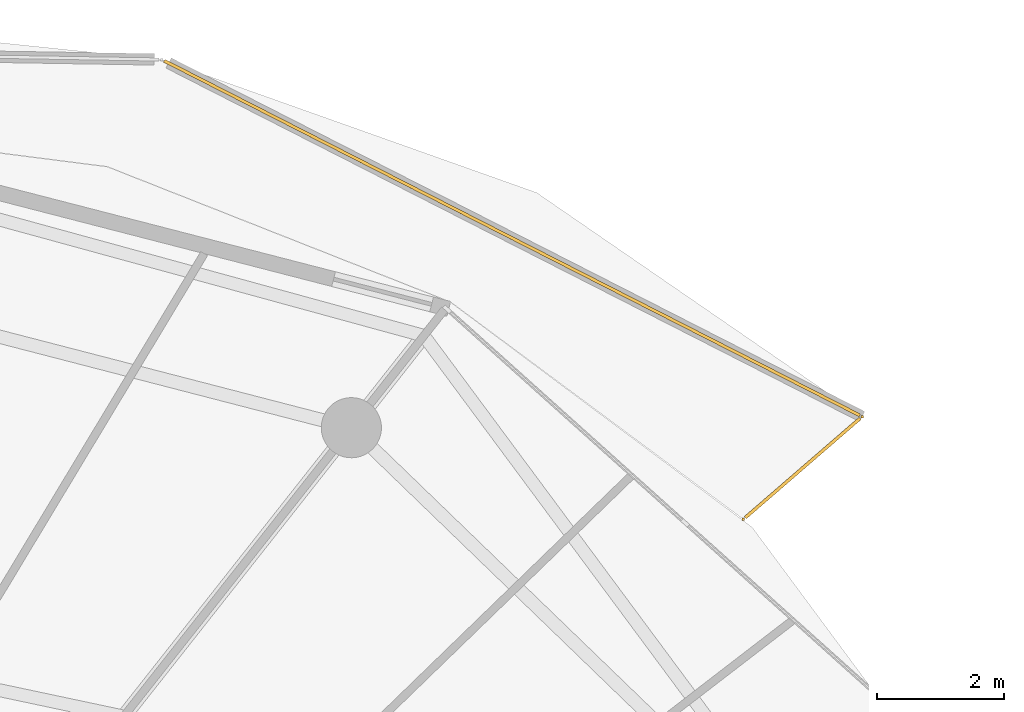
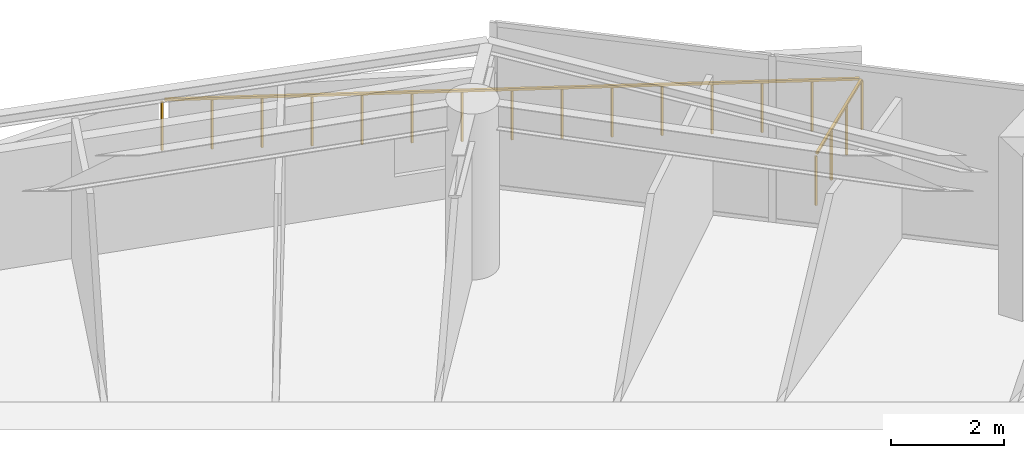
# One storey, part 30 of 30: 2 railings.
"""IFC4 building model written with IfcOpenShell, lengths in metres."""

from ifc_helpers import new_model, si_unit, direction, frame, origin, origin_2d, place, context, subcontext, project, spatial, rectangle, extrude, material, type_object, element, save


model = new_model("IFC4")

# Units and contexts
model_context = context("Model", 3, precision=1e-05, world=origin(), true_north=direction((0.0, 1.0)))
body_context = subcontext(model_context, "Body", "Model", "MODEL_VIEW")
ifc_project = project(units=[si_unit("LENGTHUNIT", "METRE"), si_unit("AREAUNIT", "SQUARE_METRE"), si_unit("VOLUMEUNIT", "CUBIC_METRE"), si_unit("PLANEANGLEUNIT", "RADIAN"), si_unit("MASSUNIT", "GRAM", prefix="KILO")], contexts=[model_context])

# Site, building, storey
site_placement = place(None, origin())
site = spatial("IfcSite", under=ifc_project, at=site_placement, CompositionType="ELEMENT")
building_placement = place(site_placement, origin())
building = spatial("IfcBuilding", under=site, at=building_placement, Name="Kazma Halo Residences", CompositionType="ELEMENT")
storey_placement = place(building_placement, frame((0.0, 0.0, 236.699951171875)))
storey = spatial("IfcBuildingStorey", under=building, at=storey_placement, Name="L59", CompositionType="ELEMENT", Elevation=236.699951171875)

# Railings
ifc_material = material(Name="Aluminium AW-6063 T6 Brushed Cap Rail", Category="aluminium")
railing_type = type_object("IfcRailingType", Name="RLG-BAL-CAP-1120", PredefinedType="BALUSTRADE", material=ifc_material)
railing_1_placement = place(storey_placement, frame((71.0400390625, 61.9228515625, 0.0)))
element("IfcRailing", 1, at=railing_1_placement, inside=storey, type_object=railing_type, Name="L59 NE wave balcony guard 1", PredefinedType="BALUSTRADE", context=body_context, shape_type="SweptSolid", body=[
    extrude(rectangle(XDim=0.050048828125, YDim=0.050048828125, at=origin_2d()), frame((0.0322265625, 0.02783203125, 1.09521484375), z_axis=(0.756451298214, 0.654050023645, 0.0), x_axis=(-0.654050023645, 0.756451298214, 0.0)), (0.0, 0.0, 1.0), 2.396728515625),
    extrude(rectangle(XDim=0.0400390625, YDim=0.0400390625, at=origin_2d()), origin(), (0.0, 0.0, 1.0), 1.05810546875),
    extrude(rectangle(XDim=0.0400390625, YDim=0.0400390625, at=origin_2d()), frame((0.625732421875, 0.541015625, 0.0)), (0.0, 0.0, 1.0), 1.05810546875),
    extrude(rectangle(XDim=0.0400390625, YDim=0.0400390625, at=origin_2d()), frame((1.251708984375, 1.082275390625, 0.0)), (0.0, 0.0, 1.0), 1.05810546875),
    extrude(rectangle(XDim=0.0400390625, YDim=0.0400390625, at=origin_2d()), frame((1.87744140625, 1.623291015625, 0.0)), (0.0, 0.0, 1.0), 1.05810546875),
])
railing_2_placement = place(storey_placement, frame((72.91748046875, 63.546142578125, 0.0)))
element("IfcRailing", 2, at=railing_2_placement, inside=storey, type_object=railing_type, Name="L59 NE wave balcony guard 2", PredefinedType="BALUSTRADE", context=body_context, shape_type="SweptSolid", body=[
    extrude(rectangle(XDim=0.050048828125, YDim=0.050048828125, at=origin_2d()), frame((-0.037841796875, 0.019287109375, 1.09521484375), z_axis=(-0.890888834387, 0.454221405004, 0.0), x_axis=(-0.454221405004, -0.890888834387, 0.0)), (0.0, 0.0, 1.0), 12.334716796875),
    extrude(rectangle(XDim=0.0400390625, YDim=0.0400390625, at=origin_2d()), origin(), (0.0, 0.0, 1.0), 1.05810546875),
    extrude(rectangle(XDim=0.0400390625, YDim=0.0400390625, at=origin_2d()), frame((-0.790283203125, 0.40283203125, 0.0)), (0.0, 0.0, 1.0), 1.05810546875),
    extrude(rectangle(XDim=0.0400390625, YDim=0.0400390625, at=origin_2d()), frame((-1.58056640625, 0.805908203125, 0.0)), (0.0, 0.0, 1.0), 1.05810546875),
    extrude(rectangle(XDim=0.0400390625, YDim=0.0400390625, at=origin_2d()), frame((-2.37109375, 1.208984375, 0.0)), (0.0, 0.0, 1.0), 1.05810546875),
    extrude(rectangle(XDim=0.0400390625, YDim=0.0400390625, at=origin_2d()), frame((-3.161376953125, 1.61181640625, 0.0)), (0.0, 0.0, 1.0), 1.05810546875),
    extrude(rectangle(XDim=0.0400390625, YDim=0.0400390625, at=origin_2d()), frame((-3.95166015625, 2.0146484375, 0.0)), (0.0, 0.0, 1.0), 1.05810546875),
    extrude(rectangle(XDim=0.0400390625, YDim=0.0400390625, at=origin_2d()), frame((-4.741943359375, 2.417724609375, 0.0)), (0.0, 0.0, 1.0), 1.05810546875),
    extrude(rectangle(XDim=0.0400390625, YDim=0.0400390625, at=origin_2d()), frame((-5.5322265625, 2.82080078125, 0.0)), (0.0, 0.0, 1.0), 1.05810546875),
    extrude(rectangle(XDim=0.0400390625, YDim=0.0400390625, at=origin_2d()), frame((-6.32275390625, 3.2236328125, 0.0)), (0.0, 0.0, 1.0), 1.05810546875),
    extrude(rectangle(XDim=0.0400390625, YDim=0.0400390625, at=origin_2d()), frame((-7.113037109375, 3.626708984375, 0.0)), (0.0, 0.0, 1.0), 1.05810546875),
    extrude(rectangle(XDim=0.0400390625, YDim=0.0400390625, at=origin_2d()), frame((-7.9033203125, 4.029541015625, 0.0)), (0.0, 0.0, 1.0), 1.05810546875),
    extrude(rectangle(XDim=0.0400390625, YDim=0.0400390625, at=origin_2d()), frame((-8.693603515625, 4.4326171875, 0.0)), (0.0, 0.0, 1.0), 1.05810546875),
    extrude(rectangle(XDim=0.0400390625, YDim=0.0400390625, at=origin_2d()), frame((-9.484130859375, 4.83544921875, 0.0)), (0.0, 0.0, 1.0), 1.05810546875),
    extrude(rectangle(XDim=0.0400390625, YDim=0.0400390625, at=origin_2d()), frame((-10.2744140625, 5.23828125, 0.0)), (0.0, 0.0, 1.0), 1.05810546875),
    extrude(rectangle(XDim=0.0400390625, YDim=0.0400390625, at=origin_2d()), frame((-11.064697265625, 5.641357421875, 0.0)), (0.0, 0.0, 1.0), 1.05810546875),
])

save(model, "model.ifc")
